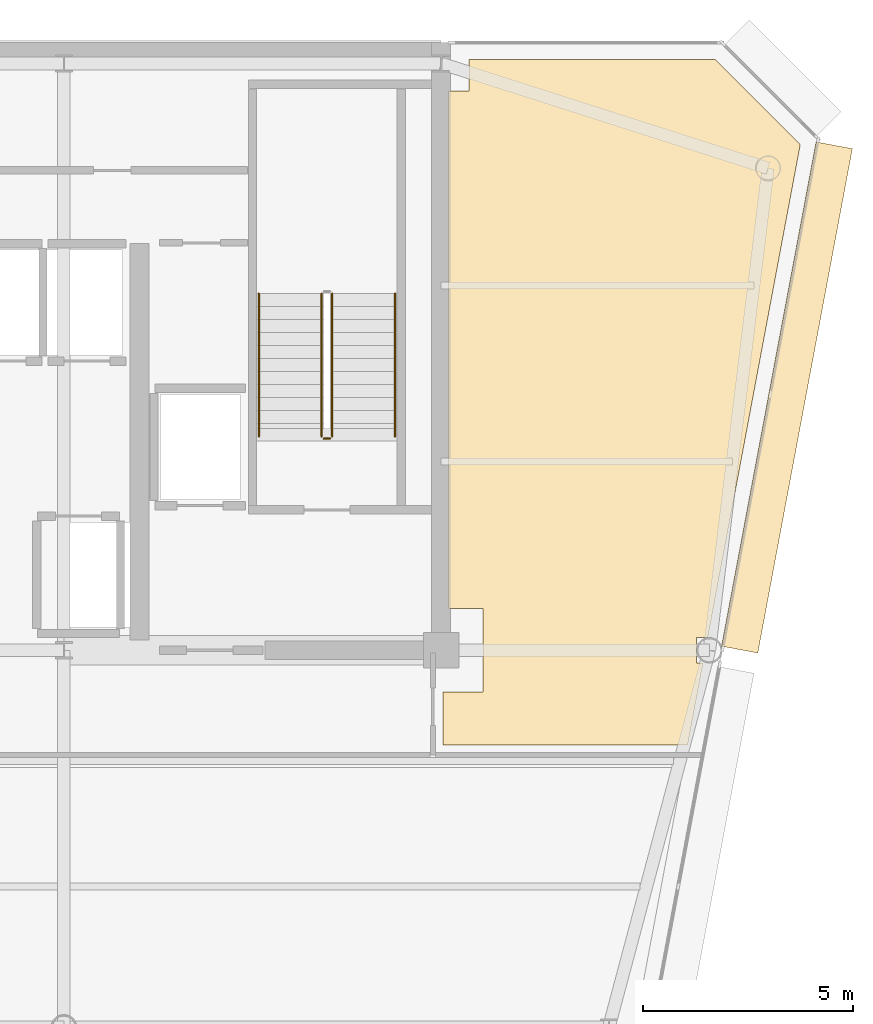
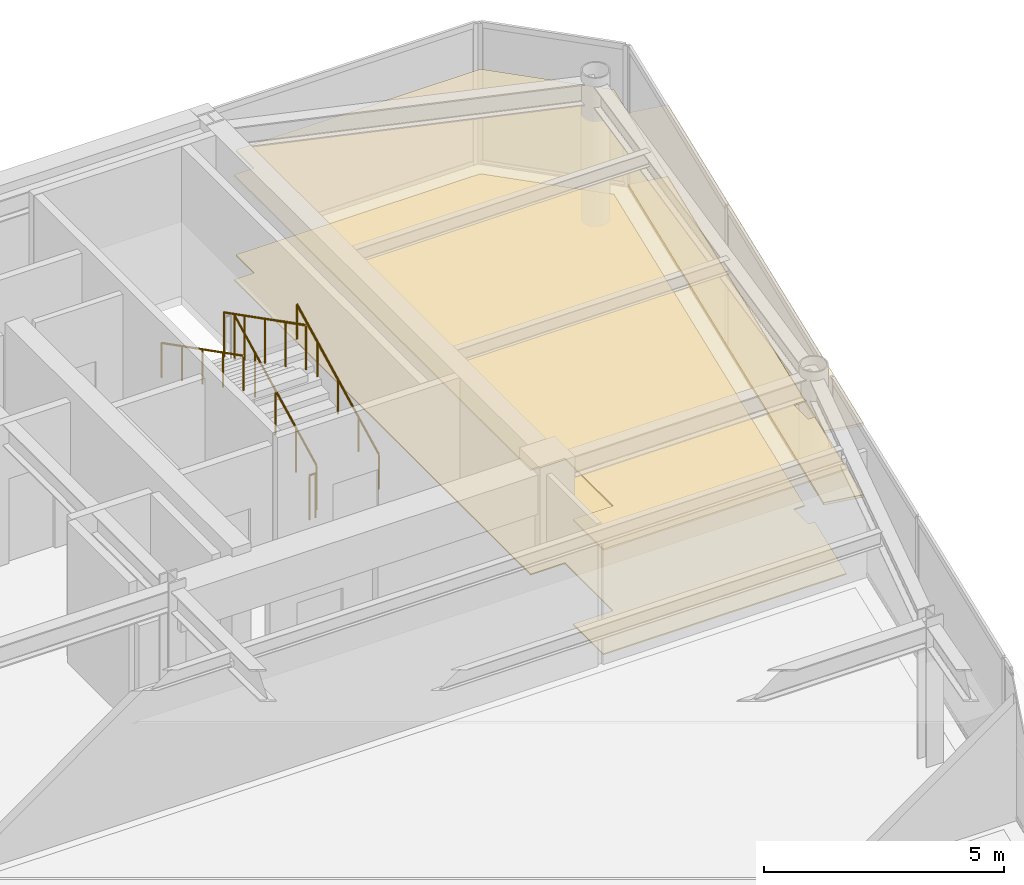
# One storey, part 16 of 19: 5 railings, 4 coverings.
"""IFC4 building model written with IfcOpenShell, lengths in metres."""

from ifc_helpers import new_model, si_unit, direction, frame, origin, origin_2d, place, context, subcontext, project, spatial, polyline, rectangle, circle, outline, extrude, source, transform, mapped, material, layer, layer_set, type_object, element, save


model = new_model("IFC4")

# Units and contexts
model_context = context("Model", 3, precision=1e-05, world=origin(), true_north=direction((0.0, 1.0)))
body_context = subcontext(model_context, "Body", "Model", "MODEL_VIEW")
ifc_project = project(units=[si_unit("LENGTHUNIT", "METRE"), si_unit("AREAUNIT", "SQUARE_METRE"), si_unit("VOLUMEUNIT", "CUBIC_METRE"), si_unit("PLANEANGLEUNIT", "RADIAN"), si_unit("MASSUNIT", "GRAM", prefix="KILO")], contexts=[model_context])

# Site, building, storey
site_placement = place(None, origin())
site = spatial("IfcSite", under=ifc_project, at=site_placement, CompositionType="ELEMENT")
building_placement = place(site_placement, origin())
building = spatial("IfcBuilding", under=site, at=building_placement, Name="Vaeldorn Concourse Tower", CompositionType="ELEMENT")
storey_placement = place(building_placement, frame((0.0, 0.0, 276.39990234375)))
storey = spatial("IfcBuildingStorey", under=building, at=storey_placement, Name="L71", CompositionType="ELEMENT", Elevation=276.39990234375)

# Coverings
ifc_material_1 = material(Name="Acoustic Mineral Fibre Board", Category="gypsum")
ifc_layer_1 = layer(ifc_material_1, 0.0400390625)
ifc_layer_set_1 = layer_set([ifc_layer_1], Name="Acoustic Mineral Fibre Board")
covering_type_1 = type_object("IfcCoveringType", Name="COV-CEIL-ACOUSTIC", PredefinedType="CEILING", material=ifc_layer_set_1)
covering_1_placement = place(storey_placement, frame((0.0, 0.0, 2.650146484375)))
element("IfcCovering", 1, at=covering_1_placement, inside=storey, type_object=covering_type_1, Name="Suspended Acoustic Ceiling L71-4", PredefinedType="CEILING", context=body_context, shape_type="SweptSolid", body=[
    extrude(outline(polyline([(54.179931640625, 49.840087890625), (54.659912109375, 49.840087890625), (54.659912109375, 50.60009765625), (60.5341796875, 50.60009765625), (62.568115234375, 48.56640625), (60.459716796875, 37.320068359375), (60.459716796875, 37.320068359375), (60.36328125, 36.804931640625), (60.094970703125, 36.804931640625), (60.094970703125, 36.195068359375), (60.248779296875, 36.195068359375), (59.88232421875, 34.239990234375), (54.0400390625, 34.239990234375), (54.0400390625, 35.5), (55.0, 35.5), (55.0, 37.5), (54.179931640625, 37.5), (54.179931640625, 49.840087890625)])), origin(), (0.0, 0.0, 1.0), 0.0400390625),
])
ifc_material_2 = material(Name="Honed Limestone Terrazzo Flooring", Category="masonry")
ifc_layer_2 = layer(ifc_material_2, 0.0400390625)
ifc_layer_set_2 = layer_set([ifc_layer_2], Name="Honed Limestone Terrazzo Flooring")
covering_type_2 = type_object("IfcCoveringType", Name="COV-FLOOR-STONE", PredefinedType="FLOORING", material=ifc_layer_set_2)
covering_2_placement = place(storey_placement, origin())
element("IfcCovering", 2, at=covering_2_placement, inside=storey, type_object=covering_type_2, Name="Floor Finish Covering L71-4", PredefinedType="FLOORING", context=body_context, shape_type="SweptSolid", body=[
    extrude(outline(polyline([(54.179931640625, 49.840087890625), (54.659912109375, 49.840087890625), (54.659912109375, 50.60009765625), (60.5341796875, 50.60009765625), (62.568115234375, 48.56640625), (60.459716796875, 37.320068359375), (60.459716796875, 37.320068359375), (60.36328125, 36.804931640625), (60.094970703125, 36.804931640625), (60.094970703125, 36.195068359375), (60.248779296875, 36.195068359375), (59.88232421875, 34.239990234375), (54.0400390625, 34.239990234375), (54.0400390625, 35.5), (55.0, 35.5), (55.0, 37.5), (54.179931640625, 37.5), (54.179931640625, 49.840087890625)])), origin(), (0.0, 0.0, 1.0), 0.030029296875),
])

# Railings
ifc_material_3 = material(Name="Anodised Bronze Aluminium", Category="aluminium")
railing_type_1 = type_object("IfcRailingType", Name="RL-STAIR-GUARD", PredefinedType="GUARDRAIL", material=ifc_material_3)
railing_1_placement = place(storey_placement, frame((51.39990234375, 41.60009765625, 0.158447265625)))
element("IfcRailing", 3, at=railing_1_placement, inside=storey, type_object=railing_type_1, Name="L71 ST-2 stair guard 1", PredefinedType="GUARDRAIL", context=body_context, shape_type="SweptSolid", body=[
    extrude(circle(Radius=0.02392578125, at=origin_2d()), frame((0.0, 0.0, 1.1259765625), z_axis=(0.0, 0.890555807335, 0.454873997962), x_axis=(-1.0, 0.0, 0.0)), (0.0, 0.0, 1.0), 3.828857421875),
    extrude(circle(Radius=0.02099609375, at=origin_2d()), origin(), (0.0, 0.0, 1.0), 1.101806640625),
    extrude(circle(Radius=0.02099609375, at=origin_2d()), frame((0.0, 0.8525390625, 0.435546875)), (0.0, 0.0, 1.0), 1.101806640625),
    extrude(circle(Radius=0.02099609375, at=origin_2d()), frame((0.0, 1.705078125, 0.870849609375)), (0.0, 0.0, 1.0), 1.101806640625),
    extrude(circle(Radius=0.02099609375, at=origin_2d()), frame((0.0, 2.557373046875, 1.30615234375)), (0.0, 0.0, 1.0), 1.101806640625),
    extrude(circle(Radius=0.02099609375, at=origin_2d()), frame((0.0, 3.409912109375, 1.74169921875)), (0.0, 0.0, 1.0), 1.101806640625),
])
railing_2_placement = place(storey_placement, frame((51.14990234375, 45.010009765625, 2.058349609375)))
element("IfcRailing", 4, at=railing_2_placement, inside=storey, type_object=railing_type_1, Name="L71 ST-2 stair guard 3", PredefinedType="GUARDRAIL", context=body_context, shape_type="SweptSolid", body=[
    extrude(circle(Radius=0.02392578125, at=origin_2d()), frame((0.0, 0.0, 1.1259765625), z_axis=(0.0, -0.890555807335, 0.454873997962), x_axis=(1.0, 0.0, 0.0)), (0.0, 0.0, 1.0), 3.828857421875),
    extrude(circle(Radius=0.02099609375, at=origin_2d()), origin(), (0.0, 0.0, 1.0), 1.101806640625),
    extrude(circle(Radius=0.02099609375, at=origin_2d()), frame((0.0, -0.8525390625, 0.435546875)), (0.0, 0.0, 1.0), 1.101806640625),
    extrude(circle(Radius=0.02099609375, at=origin_2d()), frame((0.0, -1.705078125, 0.870849609375)), (0.0, 0.0, 1.0), 1.101806640625),
    extrude(circle(Radius=0.02099609375, at=origin_2d()), frame((0.0, -2.557373046875, 1.30615234375)), (0.0, 0.0, 1.0), 1.101806640625),
    extrude(circle(Radius=0.02099609375, at=origin_2d()), frame((0.0, -3.409912109375, 1.74169921875)), (0.0, 0.0, 1.0), 1.101806640625),
])
railing_3_placement = place(storey_placement, frame((51.35009765625, 41.550048828125, 0.0)))
element("IfcRailing", 5, at=railing_3_placement, inside=storey, type_object=railing_type_1, Name="L71 ST-2 stair guard 4", PredefinedType="GUARDRAIL", context=body_context, shape_type="SweptSolid", body=[
    extrude(circle(Radius=0.02392578125, at=origin_2d()), frame((0.0, 0.0, 1.1259765625), z_axis=(-1.0, 0.0, 0.0), x_axis=(0.0, -1.0, 0.0)), (0.0, 0.0, 1.0), 0.150146484375),
    extrude(circle(Radius=0.02099609375, at=origin_2d()), origin(), (0.0, 0.0, 1.0), 1.101806640625),
    extrude(circle(Radius=0.02099609375, at=origin_2d()), frame((-0.150146484375, 0.0, 0.0)), (0.0, 0.0, 1.0), 1.101806640625),
])
railing_type_2 = type_object("IfcRailingType", Name="RL-STAIR-HANDRAIL", PredefinedType="HANDRAIL", material=ifc_material_3)
railing_4_placement = place(storey_placement, frame((52.89990234375, 41.60009765625, 0.158447265625)))
element("IfcRailing", 6, at=railing_4_placement, inside=storey, type_object=railing_type_2, Name="L71 ST-2 stair handrail 1", PredefinedType="HANDRAIL", context=body_context, shape_type="SweptSolid", body=[
    extrude(circle(Radius=0.02392578125, at=origin_2d()), frame((0.0, 0.0, 0.8759765625), z_axis=(0.0, 0.890555807335, 0.454873997962), x_axis=(-1.0, 0.0, 0.0)), (0.0, 0.0, 1.0), 3.828857421875),
    extrude(circle(Radius=0.02099609375, at=origin_2d()), origin(), (0.0, 0.0, 1.0), 0.851806640625),
    extrude(circle(Radius=0.02099609375, at=origin_2d()), frame((0.0, 0.8525390625, 0.435546875)), (0.0, 0.0, 1.0), 0.851806640625),
    extrude(circle(Radius=0.02099609375, at=origin_2d()), frame((0.0, 1.705078125, 0.870849609375)), (0.0, 0.0, 1.0), 0.851806640625),
    extrude(circle(Radius=0.02099609375, at=origin_2d()), frame((0.0, 2.557373046875, 1.30615234375)), (0.0, 0.0, 1.0), 0.851806640625),
    extrude(circle(Radius=0.02099609375, at=origin_2d()), frame((0.0, 3.409912109375, 1.74169921875)), (0.0, 0.0, 1.0), 0.851806640625),
])
railing_5_placement = place(storey_placement, frame((49.64990234375, 45.010009765625, 2.058349609375)))
element("IfcRailing", 7, at=railing_5_placement, inside=storey, type_object=railing_type_2, Name="L71 ST-2 stair handrail 2", PredefinedType="HANDRAIL", context=body_context, shape_type="SweptSolid", body=[
    extrude(circle(Radius=0.02392578125, at=origin_2d()), frame((0.0, 0.0, 0.8759765625), z_axis=(0.0, -0.890555807335, 0.454873997962), x_axis=(1.0, 0.0, 0.0)), (0.0, 0.0, 1.0), 3.828857421875),
    extrude(circle(Radius=0.02099609375, at=origin_2d()), origin(), (0.0, 0.0, 1.0), 0.851806640625),
    extrude(circle(Radius=0.02099609375, at=origin_2d()), frame((0.0, -0.8525390625, 0.435546875)), (0.0, 0.0, 1.0), 0.851806640625),
    extrude(circle(Radius=0.02099609375, at=origin_2d()), frame((0.0, -1.705078125, 0.870849609375)), (0.0, 0.0, 1.0), 0.851806640625),
    extrude(circle(Radius=0.02099609375, at=origin_2d()), frame((0.0, -2.557373046875, 1.30615234375)), (0.0, 0.0, 1.0), 0.851806640625),
    extrude(circle(Radius=0.02099609375, at=origin_2d()), frame((0.0, -3.409912109375, 1.74169921875)), (0.0, 0.0, 1.0), 0.851806640625),
])

# Coverings
ifc_layer_3 = layer(ifc_material_3, 0.06494140625)
ifc_layer_set_3 = layer_set([ifc_layer_3], Name="Anodised Bronze Aluminium")
covering_type_3 = type_object("IfcCoveringType", Name="SD-BRONZE-SUNSHADE", PredefinedType="USERDEFINED", material=ifc_layer_set_3)
shared_shape = source(origin(), body_context, "Body", "SweptSolid", [
    extrude(rectangle(XDim=12.241943359375, YDim=0.8798828125, at=origin_2d()), origin(), (0.0, 0.0, 1.0), 0.06494140625),
])
for number, where, z_axis, x_axis, name in (
    (8, (62.250732421875, 42.531494140625, 0.047607421875), (0.0, 0.0, 1.0), (0.1842429853, 0.98288072642, 0.0), "Horizontal Bronze Sunshade L71-E07.2.1"),
    (9, (62.250732421875, 42.531494140625, 1.86767578125), (0.0, 0.0, 1.0), (0.1842429853, 0.98288072642, 0.0), "Horizontal Bronze Sunshade L71-E07.2.2"),
):
    element("IfcCovering", number, at=place(storey_placement, frame(where, z_axis=z_axis, x_axis=x_axis)), inside=storey, type_object=covering_type_3, Name=name, ObjectType="SUNSHADE", PredefinedType="USERDEFINED", context=body_context, shape_type="MappedRepresentation", body=[
        mapped(shared_shape, transform((0.0, 0.0, 0.0), scale=1.0)),
    ])

save(model, "model.ifc")
